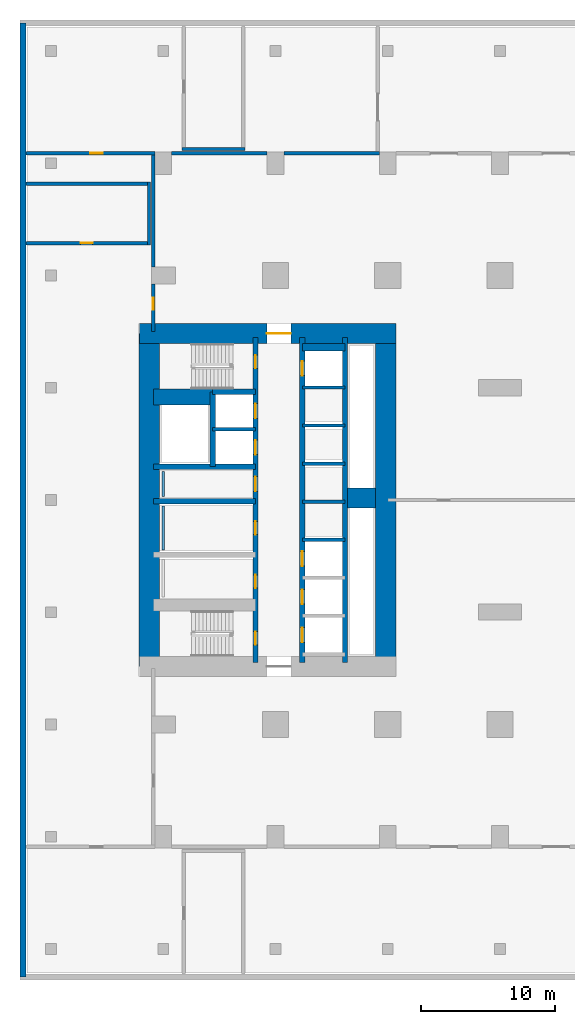
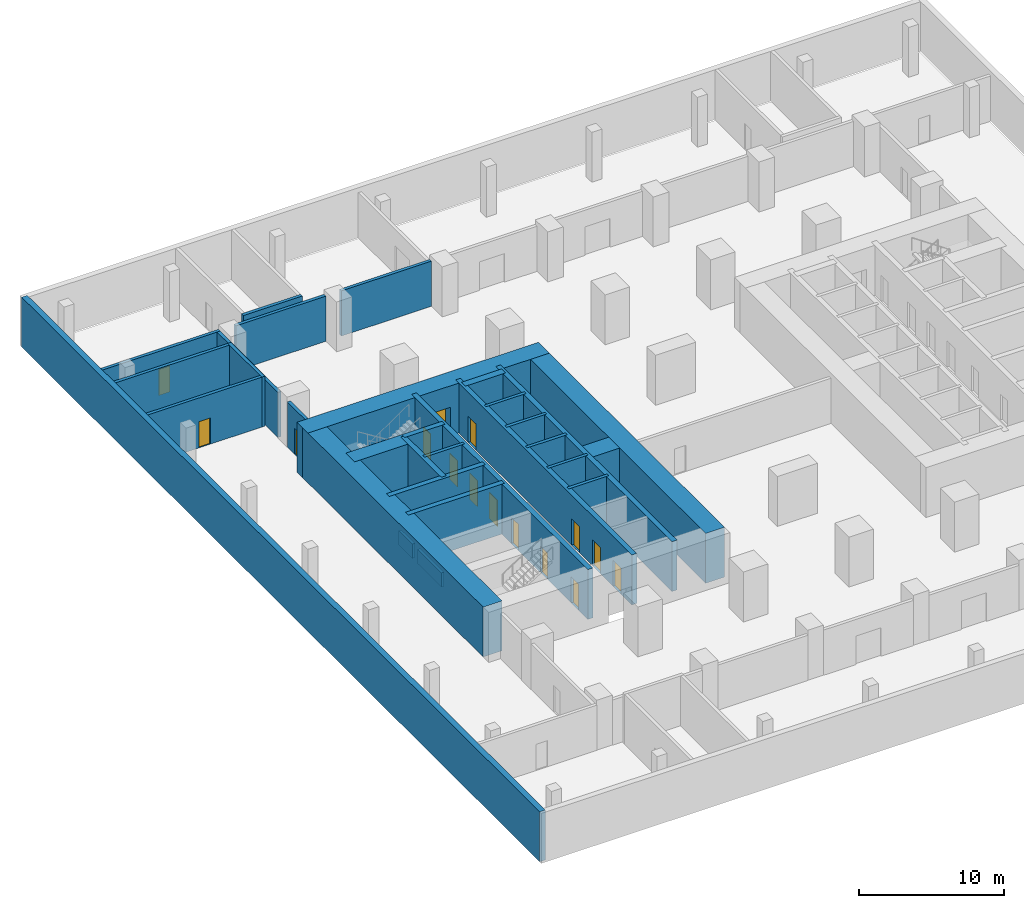
# One storey, part 3 of 8: 31 walls, 15 doors, 15 openings.
"""IFC4 building model written with IfcOpenShell, lengths in metres."""

from ifc_helpers import new_model, si_unit, direction, frame, frame_2d, origin, place, context, subcontext, project, spatial, rectangle, extrude, material, layer, layer_set, type_object, element, fill, save


model = new_model("IFC4")

# Units and contexts
model_context = context("Model", 3, precision=1e-05, world=origin(), true_north=direction((0.0, 1.0)))
body_context = subcontext(model_context, "Body", "Model", "MODEL_VIEW")
ifc_project = project(units=[si_unit("LENGTHUNIT", "METRE"), si_unit("AREAUNIT", "SQUARE_METRE"), si_unit("VOLUMEUNIT", "CUBIC_METRE"), si_unit("PLANEANGLEUNIT", "RADIAN"), si_unit("MASSUNIT", "GRAM", prefix="KILO")], contexts=[model_context])

# Site, building, storey
site_placement = place(None, origin())
site = spatial("IfcSite", under=ifc_project, at=site_placement, CompositionType="ELEMENT")
building_placement = place(site_placement, origin())
building = spatial("IfcBuilding", under=site, at=building_placement, Name="Claustro Exchange Tower", CompositionType="ELEMENT")
storey_placement = place(building_placement, frame((0.0, 0.0, -4.199951171875)))
storey = spatial("IfcBuildingStorey", under=building, at=storey_placement, Name="B1", CompositionType="ELEMENT", Elevation=-4.199951171875)

# Wall, opening, door
ifc_material_1 = material(Name="Concrete blockwork, rendered", Category="masonry")
ifc_layer_1 = layer(ifc_material_1, 0.25)
ifc_layer_set_1 = layer_set([ifc_layer_1], Name="Concrete blockwork, rendered")
wall_type_1 = type_object("IfcWallType", Name="P4 250 blockwork wall", PredefinedType="PARTITIONING", material=ifc_layer_set_1)
wall_1_placement = place(storey_placement, frame((-10.27587890625, 51.14990234375, 0.0), z_axis=(0.0, 0.0, 1.0), x_axis=(1.0, 0.0, 0.0)))
wall_1 = element("IfcWall", 1, at=wall_1_placement, inside=storey, type_object=wall_type_1, Name="Partition P4 B1", PredefinedType="PARTITIONING", context=body_context, shape_type="SweptSolid", body=[
    extrude(rectangle(XDim=9.65185546875, YDim=0.25, at=frame_2d((4.825927734375, 0.0))), origin(), (0.0, 0.0, 1.0), 3.800048828125),
])
opening_1_placement = place(wall_1_placement, frame((4.825927734375, 0.0, 0.0)))
opening_1 = element("IfcOpeningElement", 2, at=opening_1_placement, cuts=wall_1, Name="Opening D12", PredefinedType="OPENING", context=body_context, shape_type="SweptSolid", body=[
    extrude(rectangle(XDim=0.89990234375, YDim=2.199951171875, at=frame_2d((0.449951171875, 1.10009765625))), frame((0.0, 0.135009765625, 0.0), z_axis=(0.0, -1.0, 0.0), x_axis=(1.0, 0.0, 0.0)), (0.0, 0.0, 1.0), 0.27001953125),
])
ifc_material_2 = material(Name="Steel door, painted", Category="steel")
door_type_1 = type_object("IfcDoorType", Name="D12 900 x 2200 plant and store room door", OperationType="SINGLE_SWING_LEFT", PredefinedType="DOOR", material=ifc_material_2)
door_1_placement = place(opening_1_placement, origin())
door_1 = element("IfcDoor", 3, at=door_1_placement, inside=storey, type_object=door_type_1, Name="Door D12 B1", OperationType="SINGLE_SWING_LEFT", OverallHeight=2.199951171875, OverallWidth=0.89990234375, PredefinedType="DOOR", context=body_context, shape_type="SweptSolid", body=[
    extrude(rectangle(XDim=0.89990234375, YDim=2.199951171875, at=frame_2d((0.449951171875, 1.10009765625))), frame((0.0, 0.02490234375, 0.0), z_axis=(0.0, -1.0, 0.0), x_axis=(1.0, 0.0, 0.0)), (0.0, 0.0, 1.0), 0.050048828125),
])
fill(opening_1, door_1)

# Walls
wall_2_placement = place(storey_placement, frame((0.6240234375, 51.14990234375, 0.0), z_axis=(0.0, 0.0, 1.0), x_axis=(1.0, 0.0, 0.0)))
element("IfcWall", 4, at=wall_2_placement, inside=storey, type_object=wall_type_1, Name="Partition P4 B1", PredefinedType="PARTITIONING", context=body_context, shape_type="SweptSolid", body=[
    extrude(rectangle(XDim=7.15185546875, YDim=0.25, at=frame_2d((3.575927734375, 0.0))), origin(), (0.0, 0.0, 1.0), 3.800048828125),
])
wall_3_placement = place(storey_placement, frame((9.02392578125, 51.14990234375, 0.0), z_axis=(0.0, 0.0, 1.0), x_axis=(1.0, 0.0, 0.0)))
element("IfcWall", 5, at=wall_3_placement, inside=storey, type_object=wall_type_1, Name="Partition P4 B1", PredefinedType="PARTITIONING", context=body_context, shape_type="SweptSolid", body=[
    extrude(rectangle(XDim=7.152099609375, YDim=0.25, at=frame_2d((3.576171875, 0.0))), origin(), (0.0, 0.0, 1.0), 3.800048828125),
])

# Wall, opening, door
wall_4_placement = place(storey_placement, frame((-0.75, 37.820068359375, 0.0), z_axis=(0.0, 0.0, 1.0), x_axis=(0.0, 1.0, 0.0)))
wall_4 = element("IfcWall", 6, at=wall_4_placement, inside=storey, type_object=wall_type_1, Name="Partition P4 B1", PredefinedType="PARTITIONING", context=body_context, shape_type="SweptSolid", body=[
    extrude(rectangle(XDim=3.531005859375, YDim=0.25, at=frame_2d((1.765625, 0.0))), origin(), (0.0, 0.0, 1.0), 3.800048828125),
])
opening_2_placement = place(wall_4_placement, frame((1.6298828125, 0.0, 0.0)))
opening_2 = element("IfcOpeningElement", 7, at=opening_2_placement, cuts=wall_4, Name="Opening D12", PredefinedType="OPENING", context=body_context, shape_type="SweptSolid", body=[
    extrude(rectangle(XDim=0.89990234375, YDim=2.199951171875, at=frame_2d((0.449951171875, 1.10009765625))), frame((0.0, 0.135009765625, 0.0), z_axis=(0.0, -1.0, 0.0), x_axis=(1.0, 0.0, 0.0)), (0.0, 0.0, 1.0), 0.27001953125),
])
door_2_placement = place(opening_2_placement, origin())
door_2 = element("IfcDoor", 8, at=door_2_placement, inside=storey, type_object=door_type_1, Name="Door D12 B1", OperationType="SINGLE_SWING_LEFT", OverallHeight=2.199951171875, OverallWidth=0.89990234375, PredefinedType="DOOR", context=body_context, shape_type="SweptSolid", body=[
    extrude(rectangle(XDim=0.89990234375, YDim=2.199951171875, at=frame_2d((0.449951171875, 1.10009765625))), frame((0.0, 0.02490234375, 0.0), z_axis=(0.0, -1.0, 0.0), x_axis=(1.0, 0.0, 0.0)), (0.0, 0.0, 1.0), 0.050048828125),
])
fill(opening_2, door_2)

# Walls
wall_5_placement = place(storey_placement, frame((-0.75, 42.64892578125, 0.0), z_axis=(0.0, 0.0, 1.0), x_axis=(0.0, 1.0, 0.0)))
element("IfcWall", 9, at=wall_5_placement, inside=storey, type_object=wall_type_1, Name="Partition P4 B1", PredefinedType="PARTITIONING", context=body_context, shape_type="SweptSolid", body=[
    extrude(rectangle(XDim=8.376953125, YDim=0.25, at=frame_2d((4.1884765625, 0.0))), origin(), (0.0, 0.0, 1.0), 3.800048828125),
])
ifc_material_3 = material(Name="Gypsum board on steel studs, tiled", Category="steel")
ifc_layer_2 = layer(ifc_material_3, 0.199951171875)
ifc_layer_set_2 = layer_set([ifc_layer_2], Name="Gypsum board on steel studs, tiled")
wall_type_2 = type_object("IfcWallType", Name="PW1 200 WC duct wall", PredefinedType="PLUMBINGWALL", material=ifc_layer_set_2)
wall_6_placement = place(storey_placement, frame((0.0, 21.449951171875, 0.0), z_axis=(0.0, 0.0, 1.0), x_axis=(0.0, 1.0, 0.0)))
element("IfcWall", 10, at=wall_6_placement, inside=storey, type_object=wall_type_2, Name="WC duct wall PW1 B1", PredefinedType="PLUMBINGWALL", context=body_context, shape_type="SweptSolid", body=[
    extrude(rectangle(XDim=3.300048828125, YDim=0.199951171875, at=frame_2d((1.64990234375, 0.0))), origin(), (0.0, 0.0, 1.0), 1.199951171875),
])
wall_7_placement = place(storey_placement, frame((0.0, 25.449951171875, 0.0), z_axis=(0.0, 0.0, 1.0), x_axis=(0.0, 1.0, 0.0)))
element("IfcWall", 11, at=wall_7_placement, inside=storey, type_object=wall_type_2, Name="WC duct wall PW1 B1", PredefinedType="PLUMBINGWALL", context=body_context, shape_type="SweptSolid", body=[
    extrude(rectangle(XDim=1.900146484375, YDim=0.199951171875, at=frame_2d((0.9501953125, 0.0))), origin(), (0.0, 0.0, 1.0), 1.199951171875),
])
ifc_material_4 = material(Name="Concrete HA-40 (C40/50)", Category="concrete")
ifc_layer_3 = layer(ifc_material_4, 0.449951171875)
ifc_layer_set_3 = layer_set([ifc_layer_3], Name="Concrete HA-40 (C40/50)")
wall_type_3 = type_object("IfcWallType", Name="RW2 450 basement retaining wall", PredefinedType="SOLIDWALL", material=ifc_layer_set_3)
wall_8_placement = place(storey_placement, frame((-10.5, -10.5, 0.0), z_axis=(0.0, 0.0, 1.0), x_axis=(0.0, 1.0, 0.0)))
element("IfcWall", 12, at=wall_8_placement, inside=storey, type_object=wall_type_3, Name="Retaining wall RW2 W B1", PredefinedType="SOLIDWALL", context=body_context, shape_type="SweptSolid", body=[
    extrude(rectangle(XDim=71.39990234375, YDim=0.449951171875, at=frame_2d((35.699951171875, 0.0))), origin(), (0.0, 0.0, 1.0), 4.199951171875),
])

# Wall, opening, door
ifc_material_5 = material(Name="Concrete HA-70 (C70/85)", Category="concrete")
ifc_layer_4 = layer(ifc_material_5, 1.5)
ifc_layer_set_4 = layer_set([ifc_layer_4], Name="Concrete HA-70 (C70/85)")
wall_type_4 = type_object("IfcWallType", Name="SW10 1500 core shear wall", PredefinedType="SHEAR", material=ifc_layer_set_4)
wall_9_placement = place(storey_placement, frame((-1.800048828125, 37.64990234375, 0.0), z_axis=(0.0, 0.0, 1.0), x_axis=(1.0, 0.0, 0.0)))
wall_9 = element("IfcWall", 13, at=wall_9_placement, inside=storey, type_object=wall_type_4, Name="Core wall SW10 W core N face B1", PredefinedType="SHEAR", context=body_context, shape_type="SweptSolid", body=[
    extrude(rectangle(XDim=19.199951171875, YDim=1.5, at=frame_2d((9.60009765625, 0.0))), origin(), (0.0, 0.0, 1.0), 4.199951171875),
])
opening_3_placement = place(wall_9_placement, frame((9.550048828125, 0.0, 0.0)))
opening_3 = element("IfcOpeningElement", 14, at=opening_3_placement, cuts=wall_9, Name="Opening D3", PredefinedType="OPENING", context=body_context, shape_type="SweptSolid", body=[
    extrude(rectangle(XDim=1.800048828125, YDim=2.39990234375, at=frame_2d((0.89990234375, 1.199951171875))), frame((0.0, 0.760009765625, 0.0), z_axis=(0.0, -1.0, 0.0), x_axis=(1.0, 0.0, 0.0)), (0.0, 0.0, 1.0), 1.52001953125),
])
ifc_material_6 = material(Name="Steel fire door, painted", Category="steel")
door_type_2 = type_object("IfcDoorType", Name="D3 1800 x 2400 fire-rated lobby double door", OperationType="DOUBLE_DOOR_SINGLE_SWING", PredefinedType="DOOR", material=ifc_material_6)
door_3_placement = place(opening_3_placement, frame((1.800048828125, 0.0, 0.0), z_axis=(0.0, 0.0, 1.0), x_axis=(-1.0, 0.0, 0.0)))
door_3 = element("IfcDoor", 15, at=door_3_placement, inside=storey, type_object=door_type_2, Name="Lift lobby door D3 B1", OperationType="DOUBLE_DOOR_SINGLE_SWING", OverallHeight=2.39990234375, OverallWidth=1.800048828125, PredefinedType="DOOR", context=body_context, shape_type="SweptSolid", body=[
    extrude(rectangle(XDim=1.800048828125, YDim=2.39990234375, at=frame_2d((0.89990234375, 1.199951171875))), frame((0.0, 0.02490234375, 0.0), z_axis=(0.0, -1.0, 0.0), x_axis=(1.0, 0.0, 0.0)), (0.0, 0.0, 1.0), 0.050048828125),
])
fill(opening_3, door_3)

# Walls
ifc_material_7 = material(Name="Concrete HA-70 (C70/85)", Category="concrete")
ifc_layer_5 = layer(ifc_material_7, 1.5)
ifc_layer_set_5 = layer_set([ifc_layer_5], Name="Concrete HA-70 (C70/85)")
wall_type_5 = type_object("IfcWallType", Name="SW10X 1500 exposed core shear wall, board-marked face", PredefinedType="SHEAR", material=ifc_layer_set_5)
for number, where, z_axis, x_axis, name in (
    (16, (-1.050048828125, 12.75, 0.0), (0.0, 0.0, 1.0), (0.0, 1.0, 0.0), "Core wall SW10X W core W face B1"),
    (17, (16.64990234375, 12.75, 0.0), (0.0, 0.0, 1.0), (0.0, 1.0, 0.0), "Core wall SW10X W core E face B1"),
):
    element("IfcWall", number, at=place(storey_placement, frame(where, z_axis=z_axis, x_axis=x_axis)), inside=storey, type_object=wall_type_5, Name=name, PredefinedType="SHEAR", context=body_context, shape_type="SweptSolid", body=[
        extrude(rectangle(XDim=24.89990234375, YDim=1.5, at=frame_2d((12.449951171875, 0.0))), origin(), (0.0, 0.0, 1.0), 4.199951171875),
    ])
ifc_material_8 = material(Name="Concrete HA-70 (C70/85)", Category="concrete")
ifc_layer_6 = layer(ifc_material_8, 1.5)
ifc_layer_set_6 = layer_set([ifc_layer_6], Name="Concrete HA-70 (C70/85)")
wall_type_6 = type_object("IfcWallType", Name="SW13 1500 internal core wall, core base", PredefinedType="SHEAR", material=ifc_layer_set_6)
wall_10_placement = place(storey_placement, frame((13.800048828125, 25.35009765625, 0.0), z_axis=(0.0, 0.0, 1.0), x_axis=(1.0, 0.0, 0.0)))
element("IfcWall", 18, at=wall_10_placement, inside=storey, type_object=wall_type_6, Name="Internal core wall W core B1", PredefinedType="SHEAR", context=body_context, shape_type="SweptSolid", body=[
    extrude(rectangle(XDim=2.099853515625, YDim=1.5, at=frame_2d((1.0498046875, 0.0))), origin(), (0.0, 0.0, 1.0), 4.199951171875),
])

# Wall, openings, doors
ifc_material_9 = material(Name="Concrete HA-70 (C70/85)", Category="concrete")
ifc_layer_7 = layer(ifc_material_9, 0.39990234375)
ifc_layer_set_7 = layer_set([ifc_layer_7], Name="Concrete HA-70 (C70/85)")
wall_type_7 = type_object("IfcWallType", Name="SW4B 400 internal core wall HA-70", PredefinedType="SHEAR", material=ifc_layer_set_7)
wall_11_placement = place(storey_placement, frame((6.89990234375, 13.050048828125, 0.0), z_axis=(0.0, 0.0, 1.0), x_axis=(0.0, 1.0, 0.0)))
wall_11 = element("IfcWall", 19, at=wall_11_placement, inside=storey, type_object=wall_type_7, Name="Internal core wall SW4 W core B1", PredefinedType="SHEAR", context=body_context, shape_type="SweptSolid", body=[
    extrude(rectangle(XDim=24.300048828125, YDim=0.39990234375, at=frame_2d((12.14990234375, 0.0))), origin(), (0.0, 0.0, 1.0), 4.199951171875),
])
opening_4_placement = place(wall_11_placement, frame((1.300048828125, 0.0, 0.0)))
opening_4 = element("IfcOpeningElement", 20, at=opening_4_placement, cuts=wall_11, Name="Opening D4", PredefinedType="OPENING", context=body_context, shape_type="SweptSolid", body=[
    extrude(rectangle(XDim=1.0, YDim=2.199951171875, at=frame_2d((0.5, 1.10009765625))), frame((0.0, 0.2099609375, 0.0), z_axis=(0.0, -1.0, 0.0), x_axis=(1.0, 0.0, 0.0)), (0.0, 0.0, 1.0), 0.419921875),
])
opening_5_placement = place(wall_11_placement, frame((22.0, 0.0, 0.0)))
opening_5 = element("IfcOpeningElement", 21, at=opening_5_placement, cuts=wall_11, Name="Opening D4", PredefinedType="OPENING", context=body_context, shape_type="SweptSolid", body=[
    extrude(rectangle(XDim=1.0, YDim=2.199951171875, at=frame_2d((0.5, 1.10009765625))), frame((0.0, 0.2099609375, 0.0), z_axis=(0.0, -1.0, 0.0), x_axis=(1.0, 0.0, 0.0)), (0.0, 0.0, 1.0), 0.419921875),
])
opening_6_placement = place(wall_11_placement, frame((5.550048828125, 0.0, 0.0)))
opening_6 = element("IfcOpeningElement", 22, at=opening_6_placement, cuts=wall_11, Name="Opening D1", PredefinedType="OPENING", context=body_context, shape_type="SweptSolid", body=[
    extrude(rectangle(XDim=1.0, YDim=2.199951171875, at=frame_2d((0.5, 1.10009765625))), frame((0.0, 0.2099609375, 0.0), z_axis=(0.0, -1.0, 0.0), x_axis=(1.0, 0.0, 0.0)), (0.0, 0.0, 1.0), 0.419921875),
])
opening_7_placement = place(wall_11_placement, frame((9.550048828125, 0.0, 0.0)))
opening_7 = element("IfcOpeningElement", 23, at=opening_7_placement, cuts=wall_11, Name="Opening D1", PredefinedType="OPENING", context=body_context, shape_type="SweptSolid", body=[
    extrude(rectangle(XDim=1.0, YDim=2.199951171875, at=frame_2d((0.5, 1.10009765625))), frame((0.0, 0.2099609375, 0.0), z_axis=(0.0, -1.0, 0.0), x_axis=(1.0, 0.0, 0.0)), (0.0, 0.0, 1.0), 0.419921875),
])
opening_8_placement = place(wall_11_placement, frame((12.800048828125, 0.0, 0.0)))
opening_8 = element("IfcOpeningElement", 24, at=opening_8_placement, cuts=wall_11, Name="Opening D10", PredefinedType="OPENING", context=body_context, shape_type="SweptSolid", body=[
    extrude(rectangle(XDim=1.10009765625, YDim=2.199951171875, at=frame_2d((0.550048828125, 1.10009765625))), frame((0.0, 0.2099609375, 0.0), z_axis=(0.0, -1.0, 0.0), x_axis=(1.0, 0.0, 0.0)), (0.0, 0.0, 1.0), 0.419921875),
])
opening_9_placement = place(wall_11_placement, frame((15.53759765625, 0.0, 0.0)))
opening_9 = element("IfcOpeningElement", 25, at=opening_9_placement, cuts=wall_11, Name="Opening LD", PredefinedType="OPENING", context=body_context, shape_type="SweptSolid", body=[
    extrude(rectangle(XDim=1.10009765625, YDim=2.199951171875, at=frame_2d((0.550048828125, 1.10009765625))), frame((0.0, 0.2099609375, 0.0), z_axis=(0.0, -1.0, 0.0), x_axis=(1.0, 0.0, 0.0)), (0.0, 0.0, 1.0), 0.419921875),
])
opening_10_placement = place(wall_11_placement, frame((18.262451171875, 0.0, 0.0)))
opening_10 = element("IfcOpeningElement", 26, at=opening_10_placement, cuts=wall_11, Name="Opening LD", PredefinedType="OPENING", context=body_context, shape_type="SweptSolid", body=[
    extrude(rectangle(XDim=1.10009765625, YDim=2.199951171875, at=frame_2d((0.550048828125, 1.10009765625))), frame((0.0, 0.2099609375, 0.0), z_axis=(0.0, -1.0, 0.0), x_axis=(1.0, 0.0, 0.0)), (0.0, 0.0, 1.0), 0.419921875),
])
ifc_material_10 = material(Name="Timber door, oak veneer", Category="wood")
door_type_3 = type_object("IfcDoorType", Name="D1 1000 x 2200 single door", OperationType="SINGLE_SWING_LEFT", PredefinedType="DOOR", material=ifc_material_10)
door_4_placement = place(opening_6_placement, origin())
door_4 = element("IfcDoor", 27, at=door_4_placement, inside=storey, type_object=door_type_3, Name="Door D1 B1", OperationType="SINGLE_SWING_LEFT", OverallHeight=2.199951171875, OverallWidth=1.0, PredefinedType="DOOR", context=body_context, shape_type="SweptSolid", body=[
    extrude(rectangle(XDim=1.0, YDim=2.199951171875, at=frame_2d((0.5, 1.10009765625))), frame((0.0, 0.02490234375, 0.0), z_axis=(0.0, -1.0, 0.0), x_axis=(1.0, 0.0, 0.0)), (0.0, 0.0, 1.0), 0.050048828125),
])
fill(opening_6, door_4)
door_5_placement = place(opening_7_placement, origin())
door_5 = element("IfcDoor", 28, at=door_5_placement, inside=storey, type_object=door_type_3, Name="Door D1 B1", OperationType="SINGLE_SWING_RIGHT", OverallHeight=2.199951171875, OverallWidth=1.0, PredefinedType="DOOR", context=body_context, shape_type="SweptSolid", body=[
    extrude(rectangle(XDim=1.0, YDim=2.199951171875, at=frame_2d((0.5, 1.10009765625))), frame((0.0, 0.02490234375, 0.0), z_axis=(0.0, -1.0, 0.0), x_axis=(1.0, 0.0, 0.0)), (0.0, 0.0, 1.0), 0.050048828125),
])
fill(opening_7, door_5)
ifc_material_11 = material(Name="Timber door, oak veneer", Category="wood")
door_type_4 = type_object("IfcDoorType", Name="D10 1100 x 2200 accessible WC door", OperationType="SINGLE_SWING_LEFT", PredefinedType="DOOR", material=ifc_material_11)
door_6_placement = place(opening_8_placement, frame((1.10009765625, 0.0, 0.0), z_axis=(0.0, 0.0, 1.0), x_axis=(-1.0, 0.0, 0.0)))
door_6 = element("IfcDoor", 29, at=door_6_placement, inside=storey, type_object=door_type_4, Name="Accessible WC door D10 B1", OperationType="SINGLE_SWING_LEFT", OverallHeight=2.199951171875, OverallWidth=1.10009765625, PredefinedType="DOOR", context=body_context, shape_type="SweptSolid", body=[
    extrude(rectangle(XDim=1.10009765625, YDim=2.199951171875, at=frame_2d((0.550048828125, 1.10009765625))), frame((0.0, 0.02490234375, 0.0), z_axis=(0.0, -1.0, 0.0), x_axis=(1.0, 0.0, 0.0)), (0.0, 0.0, 1.0), 0.050048828125),
])
fill(opening_8, door_6)
ifc_material_12 = material(Name="Steel fire door, painted", Category="steel")
door_type_5 = type_object("IfcDoorType", Name="D4 1000 x 2200 fire-rated stair door", OperationType="SINGLE_SWING_LEFT", PredefinedType="DOOR", material=ifc_material_12)
door_7_placement = place(opening_4_placement, origin())
door_7 = element("IfcDoor", 30, at=door_7_placement, inside=storey, type_object=door_type_5, Name="Stair door D4 B1", OperationType="SINGLE_SWING_LEFT", OverallHeight=2.199951171875, OverallWidth=1.0, PredefinedType="DOOR", context=body_context, shape_type="SweptSolid", body=[
    extrude(rectangle(XDim=1.0, YDim=2.199951171875, at=frame_2d((0.5, 1.10009765625))), frame((0.0, 0.02490234375, 0.0), z_axis=(0.0, -1.0, 0.0), x_axis=(1.0, 0.0, 0.0)), (0.0, 0.0, 1.0), 0.050048828125),
])
fill(opening_4, door_7)
door_8_placement = place(opening_5_placement, origin())
door_8 = element("IfcDoor", 31, at=door_8_placement, inside=storey, type_object=door_type_5, Name="Stair door D4 B1", OperationType="SINGLE_SWING_RIGHT", OverallHeight=2.199951171875, OverallWidth=1.0, PredefinedType="DOOR", context=body_context, shape_type="SweptSolid", body=[
    extrude(rectangle(XDim=1.0, YDim=2.199951171875, at=frame_2d((0.5, 1.10009765625))), frame((0.0, 0.02490234375, 0.0), z_axis=(0.0, -1.0, 0.0), x_axis=(1.0, 0.0, 0.0)), (0.0, 0.0, 1.0), 0.050048828125),
])
fill(opening_5, door_8)
ifc_material_13 = material(Name="Stainless steel sliding door", Category="steel")
door_type_6 = type_object("IfcDoorType", Name="LD 1100 x 2200 lift landing door", OperationType="DOUBLE_DOOR_SLIDING", PredefinedType="DOOR", material=ifc_material_13)
door_9_placement = place(opening_9_placement, origin())
door_9 = element("IfcDoor", 32, at=door_9_placement, inside=storey, type_object=door_type_6, Name="Lift landing door LEW1 LD B1", OperationType="DOUBLE_DOOR_SLIDING", OverallHeight=2.199951171875, OverallWidth=1.10009765625, PredefinedType="DOOR", context=body_context, shape_type="SweptSolid", body=[
    extrude(rectangle(XDim=1.10009765625, YDim=2.199951171875, at=frame_2d((0.550048828125, 1.10009765625))), frame((0.0, 0.02490234375, 0.0), z_axis=(0.0, -1.0, 0.0), x_axis=(1.0, 0.0, 0.0)), (0.0, 0.0, 1.0), 0.050048828125),
])
fill(opening_9, door_9)
door_10_placement = place(opening_10_placement, origin())
door_10 = element("IfcDoor", 33, at=door_10_placement, inside=storey, type_object=door_type_6, Name="Lift landing door LEW2 LD B1", OperationType="DOUBLE_DOOR_SLIDING", OverallHeight=2.199951171875, OverallWidth=1.10009765625, PredefinedType="DOOR", context=body_context, shape_type="SweptSolid", body=[
    extrude(rectangle(XDim=1.10009765625, YDim=2.199951171875, at=frame_2d((0.550048828125, 1.10009765625))), frame((0.0, 0.02490234375, 0.0), z_axis=(0.0, -1.0, 0.0), x_axis=(1.0, 0.0, 0.0)), (0.0, 0.0, 1.0), 0.050048828125),
])
fill(opening_10, door_10)

wall_12_placement = place(storey_placement, frame((10.39990234375, 13.050048828125, 0.0), z_axis=(0.0, 0.0, 1.0), x_axis=(0.0, 1.0, 0.0)))
wall_12 = element("IfcWall", 34, at=wall_12_placement, inside=storey, type_object=wall_type_7, Name="Internal core wall SW4 W core B1", PredefinedType="SHEAR", context=body_context, shape_type="SweptSolid", body=[
    extrude(rectangle(XDim=24.300048828125, YDim=0.39990234375, at=frame_2d((12.14990234375, 0.0))), origin(), (0.0, 0.0, 1.0), 4.199951171875),
])
opening_11_placement = place(wall_12_placement, frame((1.5, 0.0, 0.0)))
opening_11 = element("IfcOpeningElement", 35, at=opening_11_placement, cuts=wall_12, Name="Opening LD", PredefinedType="OPENING", context=body_context, shape_type="SweptSolid", body=[
    extrude(rectangle(XDim=1.10009765625, YDim=2.199951171875, at=frame_2d((0.550048828125, 1.10009765625))), frame((0.0, 0.2099609375, 0.0), z_axis=(0.0, -1.0, 0.0), x_axis=(1.0, 0.0, 0.0)), (0.0, 0.0, 1.0), 0.419921875),
])
opening_12_placement = place(wall_12_placement, frame((4.35009765625, 0.0, 0.0)))
opening_12 = element("IfcOpeningElement", 36, at=opening_12_placement, cuts=wall_12, Name="Opening LD", PredefinedType="OPENING", context=body_context, shape_type="SweptSolid", body=[
    extrude(rectangle(XDim=1.10009765625, YDim=2.199951171875, at=frame_2d((0.550048828125, 1.10009765625))), frame((0.0, 0.2099609375, 0.0), z_axis=(0.0, -1.0, 0.0), x_axis=(1.0, 0.0, 0.0)), (0.0, 0.0, 1.0), 0.419921875),
])
opening_13_placement = place(wall_12_placement, frame((7.199951171875, 0.0, 0.0)))
opening_13 = element("IfcOpeningElement", 37, at=opening_13_placement, cuts=wall_12, Name="Opening LD", PredefinedType="OPENING", context=body_context, shape_type="SweptSolid", body=[
    extrude(rectangle(XDim=1.10009765625, YDim=2.199951171875, at=frame_2d((0.550048828125, 1.10009765625))), frame((0.0, 0.2099609375, 0.0), z_axis=(0.0, -1.0, 0.0), x_axis=(1.0, 0.0, 0.0)), (0.0, 0.0, 1.0), 0.419921875),
])
opening_14_placement = place(wall_12_placement, frame((21.449951171875, 0.0, 0.0)))
opening_14 = element("IfcOpeningElement", 38, at=opening_14_placement, cuts=wall_12, Name="Opening LD", PredefinedType="OPENING", context=body_context, shape_type="SweptSolid", body=[
    extrude(rectangle(XDim=1.10009765625, YDim=2.199951171875, at=frame_2d((0.550048828125, 1.10009765625))), frame((0.0, 0.2099609375, 0.0), z_axis=(0.0, -1.0, 0.0), x_axis=(1.0, 0.0, 0.0)), (0.0, 0.0, 1.0), 0.419921875),
])
door_11_placement = place(opening_11_placement, origin())
door_11 = element("IfcDoor", 39, at=door_11_placement, inside=storey, type_object=door_type_6, Name="Lift landing door LLW1 LD B1", OperationType="DOUBLE_DOOR_SLIDING", OverallHeight=2.199951171875, OverallWidth=1.10009765625, PredefinedType="DOOR", context=body_context, shape_type="SweptSolid", body=[
    extrude(rectangle(XDim=1.10009765625, YDim=2.199951171875, at=frame_2d((0.550048828125, 1.10009765625))), frame((0.0, 0.02490234375, 0.0), z_axis=(0.0, -1.0, 0.0), x_axis=(1.0, 0.0, 0.0)), (0.0, 0.0, 1.0), 0.050048828125),
])
fill(opening_11, door_11)
door_12_placement = place(opening_12_placement, origin())
door_12 = element("IfcDoor", 40, at=door_12_placement, inside=storey, type_object=door_type_6, Name="Lift landing door LLW2 LD B1", OperationType="DOUBLE_DOOR_SLIDING", OverallHeight=2.199951171875, OverallWidth=1.10009765625, PredefinedType="DOOR", context=body_context, shape_type="SweptSolid", body=[
    extrude(rectangle(XDim=1.10009765625, YDim=2.199951171875, at=frame_2d((0.550048828125, 1.10009765625))), frame((0.0, 0.02490234375, 0.0), z_axis=(0.0, -1.0, 0.0), x_axis=(1.0, 0.0, 0.0)), (0.0, 0.0, 1.0), 0.050048828125),
])
fill(opening_12, door_12)
door_13_placement = place(opening_13_placement, origin())
door_13 = element("IfcDoor", 41, at=door_13_placement, inside=storey, type_object=door_type_6, Name="Lift landing door LLW3 LD B1", OperationType="DOUBLE_DOOR_SLIDING", OverallHeight=2.199951171875, OverallWidth=1.10009765625, PredefinedType="DOOR", context=body_context, shape_type="SweptSolid", body=[
    extrude(rectangle(XDim=1.10009765625, YDim=2.199951171875, at=frame_2d((0.550048828125, 1.10009765625))), frame((0.0, 0.02490234375, 0.0), z_axis=(0.0, -1.0, 0.0), x_axis=(1.0, 0.0, 0.0)), (0.0, 0.0, 1.0), 0.050048828125),
])
fill(opening_13, door_13)
door_14_placement = place(opening_14_placement, origin())
door_14 = element("IfcDoor", 42, at=door_14_placement, inside=storey, type_object=door_type_6, Name="Lift landing door LSW1 LD B1", OperationType="DOUBLE_DOOR_SLIDING", OverallHeight=2.199951171875, OverallWidth=1.10009765625, PredefinedType="DOOR", context=body_context, shape_type="SweptSolid", body=[
    extrude(rectangle(XDim=1.10009765625, YDim=2.199951171875, at=frame_2d((0.550048828125, 1.10009765625))), frame((0.0, 0.02490234375, 0.0), z_axis=(0.0, -1.0, 0.0), x_axis=(1.0, 0.0, 0.0)), (0.0, 0.0, 1.0), 0.050048828125),
])
fill(opening_14, door_14)

# Walls
wall_13_placement = place(storey_placement, frame((13.60009765625, 13.050048828125, 0.0), z_axis=(0.0, 0.0, 1.0), x_axis=(0.0, 1.0, 0.0)))
element("IfcWall", 43, at=wall_13_placement, inside=storey, type_object=wall_type_7, Name="Internal core wall SW4 W core B1", PredefinedType="SHEAR", context=body_context, shape_type="SweptSolid", body=[
    extrude(rectangle(XDim=24.300048828125, YDim=0.39990234375, at=frame_2d((12.14990234375, 0.0))), origin(), (0.0, 0.0, 1.0), 4.199951171875),
])
for number, where, z_axis, x_axis, name in (
    (44, (-0.75, 25.10009765625, 0.0), (0.0, 0.0, 1.0), (1.0, 0.0, 0.0), "Internal core wall SW4 W core B1"),
    (45, (-0.75, 27.699951171875, 0.0), (0.0, 0.0, 1.0), (1.0, 0.0, 0.0), "Internal core wall SW4 W core B1"),
):
    element("IfcWall", number, at=place(storey_placement, frame(where, z_axis=z_axis, x_axis=x_axis)), inside=storey, type_object=wall_type_7, Name=name, PredefinedType="SHEAR", context=body_context, shape_type="SweptSolid", body=[
        extrude(rectangle(XDim=7.64990234375, YDim=0.39990234375, at=frame_2d((3.824951171875, 0.0))), origin(), (0.0, 0.0, 1.0), 4.199951171875),
    ])
wall_14_placement = place(storey_placement, frame((3.699951171875, 33.300048828125, 0.0), z_axis=(0.0, 0.0, 1.0), x_axis=(1.0, 0.0, 0.0)))
element("IfcWall", 46, at=wall_14_placement, inside=storey, type_object=wall_type_7, Name="Internal core wall SW4 W core B1", PredefinedType="SHEAR", context=body_context, shape_type="SweptSolid", body=[
    extrude(rectangle(XDim=3.199951171875, YDim=0.39990234375, at=frame_2d((1.60009765625, 0.0))), origin(), (0.0, 0.0, 1.0), 4.199951171875),
])
wall_15_placement = place(storey_placement, frame((3.699951171875, 27.699951171875, 0.0), z_axis=(0.0, 0.0, 1.0), x_axis=(0.0, 1.0, 0.0)))
element("IfcWall", 47, at=wall_15_placement, inside=storey, type_object=wall_type_7, Name="Internal core wall SW4 W core B1", PredefinedType="SHEAR", context=body_context, shape_type="SweptSolid", body=[
    extrude(rectangle(XDim=5.60009765625, YDim=0.39990234375, at=frame_2d((2.800048828125, 0.0))), origin(), (0.0, 0.0, 1.0), 4.199951171875),
])
ifc_material_14 = material(Name="Concrete HA-50 (C50/60)", Category="concrete")
ifc_layer_8 = layer(ifc_material_14, 0.25)
ifc_layer_set_8 = layer_set([ifc_layer_8], Name="Concrete HA-50 (C50/60)")
wall_type_8 = type_object("IfcWallType", Name="SW5 250 lift shaft divider wall", PredefinedType="SHEAR", material=ifc_layer_set_8)
wall_16_placement = place(storey_placement, frame((3.699951171875, 30.5, 0.0), z_axis=(0.0, 0.0, 1.0), x_axis=(1.0, 0.0, 0.0)))
element("IfcWall", 48, at=wall_16_placement, inside=storey, type_object=wall_type_8, Name="Lift shaft wall W core B1", PredefinedType="SHEAR", context=body_context, shape_type="SweptSolid", body=[
    extrude(rectangle(XDim=3.199951171875, YDim=0.25, at=frame_2d((1.60009765625, 0.0))), origin(), (0.0, 0.0, 1.0), 4.199951171875),
])
for number, where, z_axis, x_axis, name in (
    (49, (10.39990234375, 22.22509765625, 0.0), (0.0, 0.0, 1.0), (1.0, 0.0, 0.0), "Lift shaft wall W core B1"),
    (50, (10.39990234375, 25.074951171875, 0.0), (0.0, 0.0, 1.0), (1.0, 0.0, 0.0), "Lift shaft wall W core B1"),
    (51, (10.39990234375, 27.925048828125, 0.0), (0.0, 0.0, 1.0), (1.0, 0.0, 0.0), "Lift shaft wall W core B1"),
    (52, (10.39990234375, 30.77490234375, 0.0), (0.0, 0.0, 1.0), (1.0, 0.0, 0.0), "Lift shaft wall W core B1"),
    (53, (10.39990234375, 33.625, 0.0), (0.0, 0.0, 1.0), (1.0, 0.0, 0.0), "Lift shaft wall W core B1"),
):
    element("IfcWall", number, at=place(storey_placement, frame(where, z_axis=z_axis, x_axis=x_axis)), inside=storey, type_object=wall_type_8, Name=name, PredefinedType="SHEAR", context=body_context, shape_type="SweptSolid", body=[
        extrude(rectangle(XDim=3.2001953125, YDim=0.25, at=frame_2d((1.60009765625, 0.0))), origin(), (0.0, 0.0, 1.0), 4.199951171875),
    ])
ifc_material_15 = material(Name="Concrete HA-50 (C50/60)", Category="concrete")
ifc_layer_9 = layer(ifc_material_15, 0.550048828125)
ifc_layer_set_9 = layer_set([ifc_layer_9], Name="Concrete HA-50 (C50/60)")
wall_type_9 = type_object("IfcWallType", Name="SW6 550 lift shaft end wall", PredefinedType="SHEAR", material=ifc_layer_set_9)
wall_17_placement = place(storey_placement, frame((10.39990234375, 36.625, 0.0), z_axis=(0.0, 0.0, 1.0), x_axis=(1.0, 0.0, 0.0)))
element("IfcWall", 54, at=wall_17_placement, inside=storey, type_object=wall_type_9, Name="Lift shaft wall W core B1", PredefinedType="SHEAR", context=body_context, shape_type="SweptSolid", body=[
    extrude(rectangle(XDim=3.2001953125, YDim=0.550048828125, at=frame_2d((1.60009765625, 0.0))), origin(), (0.0, 0.0, 1.0), 4.199951171875),
])
ifc_material_16 = material(Name="Concrete HA-40 (C40/50)", Category="concrete")
ifc_layer_10 = layer(ifc_material_16, 0.25)
ifc_layer_set_10 = layer_set([ifc_layer_10], Name="Concrete HA-40 (C40/50)")
wall_type_10 = type_object("IfcWallType", Name="SW7 250 reinforced concrete stair wall", PredefinedType="SOLIDWALL", material=ifc_layer_set_10)
wall_18_placement = place(storey_placement, frame((1.39990234375, 51.47509765625, 0.0), z_axis=(0.0, 0.0, 1.0), x_axis=(1.0, 0.0, 0.0)))
element("IfcWall", 55, at=wall_18_placement, inside=storey, type_object=wall_type_10, Name="Stair enclosure wall STP3 SW7 B1", PredefinedType="SOLIDWALL", context=body_context, shape_type="SweptSolid", body=[
    extrude(rectangle(XDim=4.7001953125, YDim=0.25, at=frame_2d((2.35009765625, 0.0))), origin(), (0.0, 0.0, 1.0), 4.199951171875),
])

# Wall, opening, door
wall_19_placement = place(storey_placement, frame((-10.277099609375, 44.425048828125, 0.0), z_axis=(0.0, 0.0, 1.0), x_axis=(1.0, 0.0, 0.0)))
wall_19 = element("IfcWall", 56, at=wall_19_placement, inside=storey, type_object=wall_type_10, Name="Stair enclosure wall STP5 SW7 B1", PredefinedType="SOLIDWALL", context=body_context, shape_type="SweptSolid", body=[
    extrude(rectangle(XDim=9.0771484375, YDim=0.25, at=frame_2d((4.53857421875, 0.0))), origin(), (0.0, 0.0, 1.0), 4.199951171875),
])
opening_15_placement = place(wall_19_placement, frame((4.08740234375, 0.0, 0.0)))
opening_15 = element("IfcOpeningElement", 57, at=opening_15_placement, cuts=wall_19, Name="Opening D12", PredefinedType="OPENING", context=body_context, shape_type="SweptSolid", body=[
    extrude(rectangle(XDim=0.89990234375, YDim=2.199951171875, at=frame_2d((0.449951171875, 1.10009765625))), frame((0.0, 0.135009765625, 0.0), z_axis=(0.0, -1.0, 0.0), x_axis=(1.0, 0.0, 0.0)), (0.0, 0.0, 1.0), 0.27001953125),
])
door_15_placement = place(opening_15_placement, origin())
door_15 = element("IfcDoor", 58, at=door_15_placement, inside=storey, type_object=door_type_1, Name="Store door STP5 D12 B1", OperationType="SINGLE_SWING_LEFT", OverallHeight=2.199951171875, OverallWidth=0.89990234375, PredefinedType="DOOR", context=body_context, shape_type="SweptSolid", body=[
    extrude(rectangle(XDim=0.89990234375, YDim=2.199951171875, at=frame_2d((0.449951171875, 1.10009765625))), frame((0.0, 0.02490234375, 0.0), z_axis=(0.0, -1.0, 0.0), x_axis=(1.0, 0.0, 0.0)), (0.0, 0.0, 1.0), 0.050048828125),
])
fill(opening_15, door_15)

# Walls
wall_20_placement = place(storey_placement, frame((-10.277099609375, 48.875, 0.0), z_axis=(0.0, 0.0, 1.0), x_axis=(1.0, 0.0, 0.0)))
element("IfcWall", 59, at=wall_20_placement, inside=storey, type_object=wall_type_10, Name="Stair enclosure wall STP5 SW7 B1", PredefinedType="SOLIDWALL", context=body_context, shape_type="SweptSolid", body=[
    extrude(rectangle(XDim=9.0771484375, YDim=0.25, at=frame_2d((4.53857421875, 0.0))), origin(), (0.0, 0.0, 1.0), 4.199951171875),
])
wall_21_placement = place(storey_placement, frame((-1.074951171875, 44.300048828125, 0.0), z_axis=(0.0, 0.0, 1.0), x_axis=(0.0, 1.0, 0.0)))
element("IfcWall", 60, at=wall_21_placement, inside=storey, type_object=wall_type_10, Name="Stair enclosure wall STP5 SW7 B1", PredefinedType="SOLIDWALL", context=body_context, shape_type="SweptSolid", body=[
    extrude(rectangle(XDim=4.699951171875, YDim=0.25, at=frame_2d((2.35009765625, 0.0))), origin(), (0.0, 0.0, 1.0), 4.199951171875),
])
ifc_material_17 = material(Name="Concrete HA-70 (C70/85)", Category="concrete")
ifc_layer_11 = layer(ifc_material_17, 1.199951171875)
ifc_layer_set_11 = layer_set([ifc_layer_11], Name="Concrete HA-70 (C70/85)")
wall_type_11 = type_object("IfcWallType", Name="SW9 1200 internal core wall, core base", PredefinedType="SHEAR", material=ifc_layer_set_11)
wall_22_placement = place(storey_placement, frame((-0.75, 32.89990234375, 0.0), z_axis=(0.0, 0.0, 1.0), x_axis=(1.0, 0.0, 0.0)))
element("IfcWall", 61, at=wall_22_placement, inside=storey, type_object=wall_type_11, Name="Internal core wall W core B1", PredefinedType="SHEAR", context=body_context, shape_type="SweptSolid", body=[
    extrude(rectangle(XDim=4.449951171875, YDim=1.199951171875, at=frame_2d((2.22509765625, 0.0))), origin(), (0.0, 0.0, 1.0), 4.199951171875),
])

save(model, "model.ifc")
